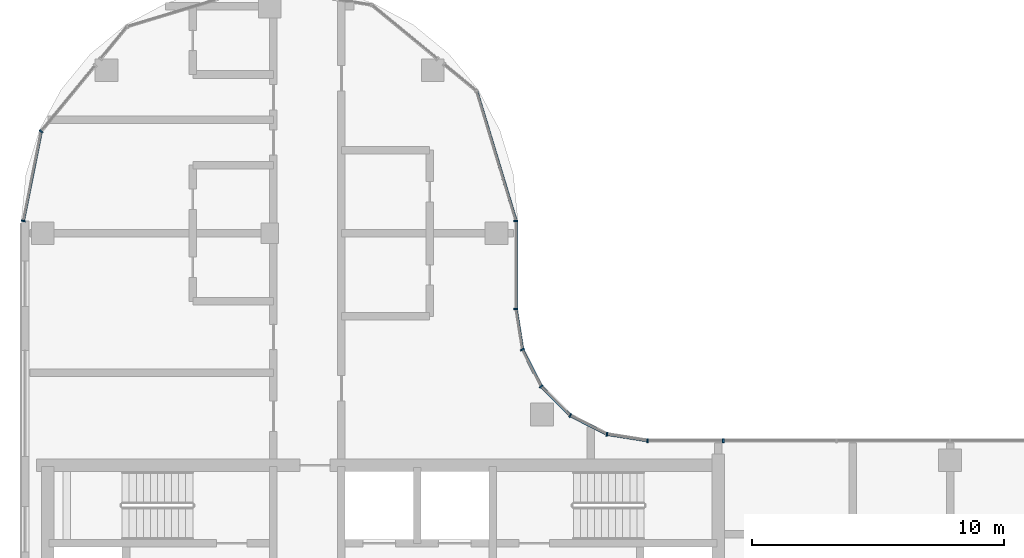
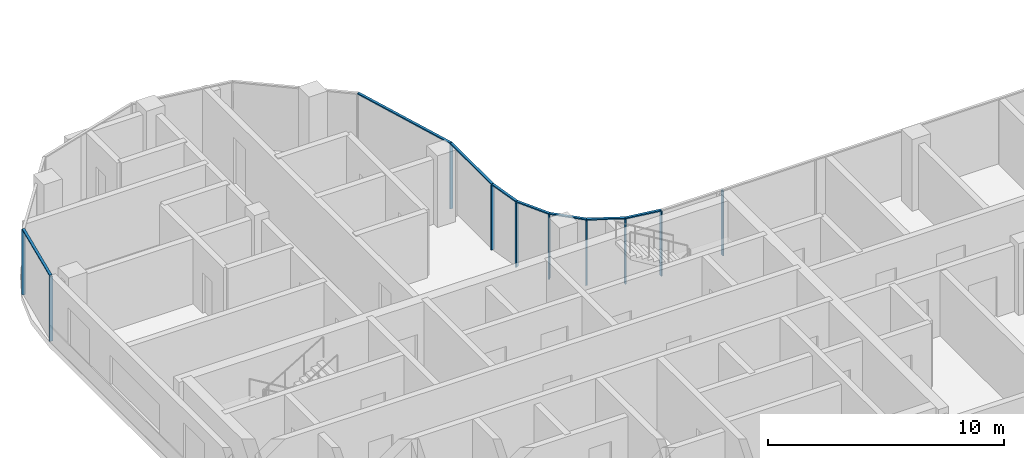
# One storey, part 2 of 20: 18 members, 5 elements without a shape of their own.
"""IFC4 building model written with IfcOpenShell, lengths in metres."""

from ifc_helpers import new_model, si_unit, direction, frame, origin, origin_2d, place, context, subcontext, project, spatial, rectangle, extrude, material, material_profile, profile_set, type_object, element, aggregate, save


model = new_model("IFC4")

# Units and contexts
model_context = context("Model", 3, precision=1e-05, world=origin(), true_north=direction((0.0, 1.0)))
body_context = subcontext(model_context, "Body", "Model", "MODEL_VIEW")
ifc_project = project(units=[si_unit("LENGTHUNIT", "METRE"), si_unit("AREAUNIT", "SQUARE_METRE"), si_unit("VOLUMEUNIT", "CUBIC_METRE"), si_unit("PLANEANGLEUNIT", "RADIAN"), si_unit("MASSUNIT", "GRAM", prefix="KILO")], contexts=[model_context])

# Site, building, storey
site_placement = place(None, origin())
site = spatial("IfcSite", under=ifc_project, at=site_placement, CompositionType="ELEMENT")
building_placement = place(site_placement, origin())
building = spatial("IfcBuilding", under=site, at=building_placement, Name="Ogive Portal Towers", CompositionType="ELEMENT")
storey_placement = place(building_placement, frame((0.0, 0.0, 210.60009765625)))
storey = spatial("IfcBuildingStorey", under=building, at=storey_placement, Name="L52", CompositionType="ELEMENT", Elevation=210.60009765625)

# Curtain wall, members
ifc_material_1 = material(Name="Glass, clear low-iron insulated glazing", Category="glass")
curtain_wall_type = type_object("IfcCurtainWallType", Name="CW FRONT RIBBON 4500", PredefinedType="NOTDEFINED", material=ifc_material_1)
curtain_wall_1_placement = place(storey_placement, origin())
curtain_wall_1 = element("IfcCurtainWall", 1, at=curtain_wall_1_placement, inside=storey, type_object=curtain_wall_type, Name="A:L52:f11:cw0", PredefinedType="NOTDEFINED")
ifc_material_2 = material(Name="Aluminium 6063 anodised", Category="aluminium")
ifc_material_profile_1 = material_profile(ifc_material_2, rectangle(XDim=0.159912109375, YDim=0.06005859375, at=origin_2d()), Name="AL 60x160")
ifc_profile_set_1 = profile_set([ifc_material_profile_1], Name="Aluminium 6063 anodised")
member_type_1 = type_object("IfcMemberType", Name="CW MULLION 60x160", PredefinedType="MULLION", material=ifc_profile_set_1)
member_1_placement = place(storey_placement, frame((58.5, 40.27490234375, 0.0), z_axis=(0.0, 0.0, 1.0), x_axis=(0.0, -1.0, 0.0)))
member_1 = element("IfcMember", 2, at=member_1_placement, type_object=member_type_1, Name="mullion", PredefinedType="MULLION", context=body_context, shape_type="SweptSolid", body=[
    extrude(rectangle(XDim=0.159912109375, YDim=0.06005859375, at=origin_2d()), origin(), (0.0, 0.0, 1.0), 3.33984375),
])
member_2_placement = place(storey_placement, frame((55.49365234375, 40.27490234375, 0.0), z_axis=(0.0, 0.0, 1.0), x_axis=(0.0, -1.0, 0.0)))
member_2 = element("IfcMember", 3, at=member_2_placement, type_object=member_type_1, Name="mullion", PredefinedType="MULLION", context=body_context, shape_type="SweptSolid", body=[
    extrude(rectangle(XDim=0.159912109375, YDim=0.06005859375, at=origin_2d()), origin(), (0.0, 0.0, 1.0), 3.33984375),
])
aggregate(curtain_wall_1, [member_1, member_2])

curtain_wall_2_placement = place(storey_placement, origin())
curtain_wall_2 = element("IfcCurtainWall", 4, at=curtain_wall_2_placement, inside=storey, type_object=curtain_wall_type, Name="A:L52:f17:cw0", PredefinedType="NOTDEFINED")
member_3_placement = place(storey_placement, frame((50.27490234375, 45.49365234375, 0.0), z_axis=(0.0, 0.0, 1.0), x_axis=(-1.0, 0.0, 0.0)))
member_3 = element("IfcMember", 5, at=member_3_placement, type_object=member_type_1, Name="mullion", PredefinedType="MULLION", context=body_context, shape_type="SweptSolid", body=[
    extrude(rectangle(XDim=0.159912109375, YDim=0.06005859375, at=origin_2d()), origin(), (0.0, 0.0, 1.0), 3.33984375),
])
member_4_placement = place(storey_placement, frame((50.27490234375, 48.988037109375, 0.0), z_axis=(0.0, 0.0, 1.0), x_axis=(-1.0, 0.0, 0.0)))
member_4 = element("IfcMember", 6, at=member_4_placement, type_object=member_type_1, Name="mullion", PredefinedType="MULLION", context=body_context, shape_type="SweptSolid", body=[
    extrude(rectangle(XDim=0.159912109375, YDim=0.06005859375, at=origin_2d()), origin(), (0.0, 0.0, 1.0), 3.33984375),
])

curtain_wall_3_placement = place(storey_placement, origin())
curtain_wall_3 = element("IfcCurtainWall", 7, at=curtain_wall_3_placement, inside=storey, type_object=curtain_wall_type, Name="A:L52:f12:cwa", PredefinedType="NOTDEFINED")
member_5_placement = place(storey_placement, frame((53.885009765625, 40.52978515625, 0.0), z_axis=(0.0, 0.0, 1.0), x_axis=(-0.15643446504, -0.987688340595, 0.0)))
member_5 = element("IfcMember", 8, at=member_5_placement, type_object=member_type_1, Name="mullion", PredefinedType="MULLION", context=body_context, shape_type="SweptSolid", body=[
    extrude(rectangle(XDim=0.159912109375, YDim=0.06005859375, at=origin_2d()), origin(), (0.0, 0.0, 1.0), 3.33984375),
])
member_6_placement = place(storey_placement, frame((52.42822265625, 41.27197265625, 0.0), z_axis=(0.0, 0.0, 1.0), x_axis=(-0.45399049974, -0.891006524188, 0.0)))
member_6 = element("IfcMember", 9, at=member_6_placement, type_object=member_type_1, Name="mullion", PredefinedType="MULLION", context=body_context, shape_type="SweptSolid", body=[
    extrude(rectangle(XDim=0.159912109375, YDim=0.06005859375, at=origin_2d()), origin(), (0.0, 0.0, 1.0), 3.33984375),
])
member_7_placement = place(storey_placement, frame((51.27197265625, 42.42822265625, 0.0), z_axis=(0.0, 0.0, 1.0), x_axis=(-0.707106781187, -0.707106781187, 0.0)))
member_7 = element("IfcMember", 10, at=member_7_placement, type_object=member_type_1, Name="mullion", PredefinedType="MULLION", context=body_context, shape_type="SweptSolid", body=[
    extrude(rectangle(XDim=0.159912109375, YDim=0.06005859375, at=origin_2d()), origin(), (0.0, 0.0, 1.0), 3.33984375),
])
member_8_placement = place(storey_placement, frame((50.52978515625, 43.885009765625, 0.0), z_axis=(0.0, 0.0, 1.0), x_axis=(-0.891006524188, -0.45399049974, 0.0)))
member_8 = element("IfcMember", 11, at=member_8_placement, type_object=member_type_1, Name="mullion", PredefinedType="MULLION", context=body_context, shape_type="SweptSolid", body=[
    extrude(rectangle(XDim=0.159912109375, YDim=0.06005859375, at=origin_2d()), origin(), (0.0, 0.0, 1.0), 3.33984375),
])

curtain_wall_4_placement = place(storey_placement, origin())
curtain_wall_4 = element("IfcCurtainWall", 12, at=curtain_wall_4_placement, inside=storey, type_object=curtain_wall_type, Name="A:L52:f18:cwa~2", PredefinedType="NOTDEFINED")
member_9_placement = place(storey_placement, frame((31.431640625, 52.544677734375, 0.0), z_axis=(0.0, 0.0, 1.0), x_axis=(0.773010453363, -0.634393284164, 0.0)))
member_9 = element("IfcMember", 13, at=member_9_placement, type_object=member_type_1, Name="mullion", PredefinedType="MULLION", context=body_context, shape_type="SweptSolid", body=[
    extrude(rectangle(XDim=0.159912109375, YDim=0.06005859375, at=origin_2d()), origin(), (0.0, 0.0, 1.0), 3.33984375),
])
member_10_placement = place(storey_placement, frame((30.72509765625, 48.9921875, 0.0), z_axis=(0.0, 0.0, 1.0), x_axis=(0.980785280403, -0.195090322016, 0.0)))
member_10 = element("IfcMember", 14, at=member_10_placement, type_object=member_type_1, Name="mullion", PredefinedType="MULLION", context=body_context, shape_type="SweptSolid", body=[
    extrude(rectangle(XDim=0.159912109375, YDim=0.06005859375, at=origin_2d()), origin(), (0.0, 0.0, 1.0), 3.33984375),
])

# Member
ifc_material_profile_2 = material_profile(ifc_material_2, rectangle(XDim=0.1201171875, YDim=0.06005859375, at=origin_2d()), Name="AL 120x60")
ifc_profile_set_2 = profile_set([ifc_material_profile_2], Name="Aluminium 6063 anodised")
member_type_2 = type_object("IfcMemberType", Name="CW TRANSOM 60x120", PredefinedType="USERDEFINED", material=ifc_profile_set_2)
member_11_placement = place(storey_placement, frame((50.27490234375, 45.49365234375, 3.369873046875), z_axis=(0.0, 1.0, 0.0), x_axis=(-1.0, 0.0, 0.0)))
member_11 = element("IfcMember", 15, at=member_11_placement, type_object=member_type_2, Name="transom", ObjectType="TRANSOM", PredefinedType="USERDEFINED", context=body_context, shape_type="SweptSolid", body=[
    extrude(rectangle(XDim=0.1201171875, YDim=0.06005859375, at=origin_2d()), origin(), (0.0, 0.0, 1.0), 3.494384765625),
])

aggregate(curtain_wall_2, [member_11, member_3, member_4])

member_12_placement = place(storey_placement, frame((55.49365234375, 40.27490234375, 3.369873046875), z_axis=(-0.987678960592, 0.156493676561, 0.0), x_axis=(-0.156493676561, -0.987678960592, 0.0)))
member_12 = element("IfcMember", 16, at=member_12_placement, type_object=member_type_2, Name="transom", ObjectType="TRANSOM", PredefinedType="USERDEFINED", context=body_context, shape_type="SweptSolid", body=[
    extrude(rectangle(XDim=0.1201171875, YDim=0.06005859375, at=origin_2d()), origin(), (0.0, 0.0, 1.0), 1.628662109375),
])

member_13_placement = place(storey_placement, frame((53.885009765625, 40.52978515625, 3.369873046875), z_axis=(-0.891026961257, 0.453950387502, 0.0), x_axis=(-0.453950387502, -0.891026961257, 0.0)))
member_13 = element("IfcMember", 17, at=member_13_placement, type_object=member_type_2, Name="transom", ObjectType="TRANSOM", PredefinedType="USERDEFINED", context=body_context, shape_type="SweptSolid", body=[
    extrude(rectangle(XDim=0.1201171875, YDim=0.06005859375, at=origin_2d()), origin(), (0.0, 0.0, 1.0), 1.635009765625),
])

member_14_placement = place(storey_placement, frame((52.42822265625, 41.27197265625, 3.369873046875), z_axis=(-0.707106781187, 0.707106781187, 0.0), x_axis=(-0.707106781187, -0.707106781187, 0.0)))
member_14 = element("IfcMember", 18, at=member_14_placement, type_object=member_type_2, Name="transom", ObjectType="TRANSOM", PredefinedType="USERDEFINED", context=body_context, shape_type="SweptSolid", body=[
    extrude(rectangle(XDim=0.1201171875, YDim=0.06005859375, at=origin_2d()), origin(), (0.0, 0.0, 1.0), 1.63525390625),
])

member_15_placement = place(storey_placement, frame((51.27197265625, 42.42822265625, 3.369873046875), z_axis=(-0.453950387502, 0.891026961257, 0.0), x_axis=(-0.891026961257, -0.453950387502, 0.0)))
member_15 = element("IfcMember", 19, at=member_15_placement, type_object=member_type_2, Name="transom", ObjectType="TRANSOM", PredefinedType="USERDEFINED", context=body_context, shape_type="SweptSolid", body=[
    extrude(rectangle(XDim=0.1201171875, YDim=0.06005859375, at=origin_2d()), origin(), (0.0, 0.0, 1.0), 1.635009765625),
])

member_16_placement = place(storey_placement, frame((50.52978515625, 43.885009765625, 3.369873046875), z_axis=(-0.156493676561, 0.987678960592, 0.0), x_axis=(-0.987678960592, -0.156493676561, 0.0)))
member_16 = element("IfcMember", 20, at=member_16_placement, type_object=member_type_2, Name="transom", ObjectType="TRANSOM", PredefinedType="USERDEFINED", context=body_context, shape_type="SweptSolid", body=[
    extrude(rectangle(XDim=0.1201171875, YDim=0.06005859375, at=origin_2d()), origin(), (0.0, 0.0, 1.0), 1.628662109375),
])

aggregate(curtain_wall_3, [member_12, member_13, member_14, member_15, member_16, member_5, member_6, member_7, member_8])

# Curtain wall, member
curtain_wall_5_placement = place(storey_placement, origin())
curtain_wall_5 = element("IfcCurtainWall", 21, at=curtain_wall_5_placement, inside=storey, type_object=curtain_wall_type, Name="A:L52:f18:cwa~0", PredefinedType="NOTDEFINED")
member_17_placement = place(storey_placement, frame((50.27490234375, 48.988037109375, 3.369873046875), z_axis=(-0.290248528925, 0.956951300463, 0.0), x_axis=(-0.956951300463, -0.290248528925, 0.0)))
member_17 = element("IfcMember", 22, at=member_17_placement, type_object=member_type_2, Name="transom", ObjectType="TRANSOM", PredefinedType="USERDEFINED", context=body_context, shape_type="SweptSolid", body=[
    extrude(rectangle(XDim=0.1201171875, YDim=0.06005859375, at=origin_2d()), origin(), (0.0, 0.0, 1.0), 5.39501953125),
])
aggregate(curtain_wall_5, [member_17])

# Member
member_18_placement = place(storey_placement, frame((31.431640625, 52.544677734375, 3.369873046875), z_axis=(-0.195066081684, -0.980790101794, 0.0), x_axis=(0.980790101794, -0.195066081684, 0.0)))
member_18 = element("IfcMember", 23, at=member_18_placement, type_object=member_type_2, Name="transom", ObjectType="TRANSOM", PredefinedType="USERDEFINED", context=body_context, shape_type="SweptSolid", body=[
    extrude(rectangle(XDim=0.1201171875, YDim=0.06005859375, at=origin_2d()), origin(), (0.0, 0.0, 1.0), 3.6220703125),
])

aggregate(curtain_wall_4, [member_18, member_9, member_10])

save(model, "model.ifc")
